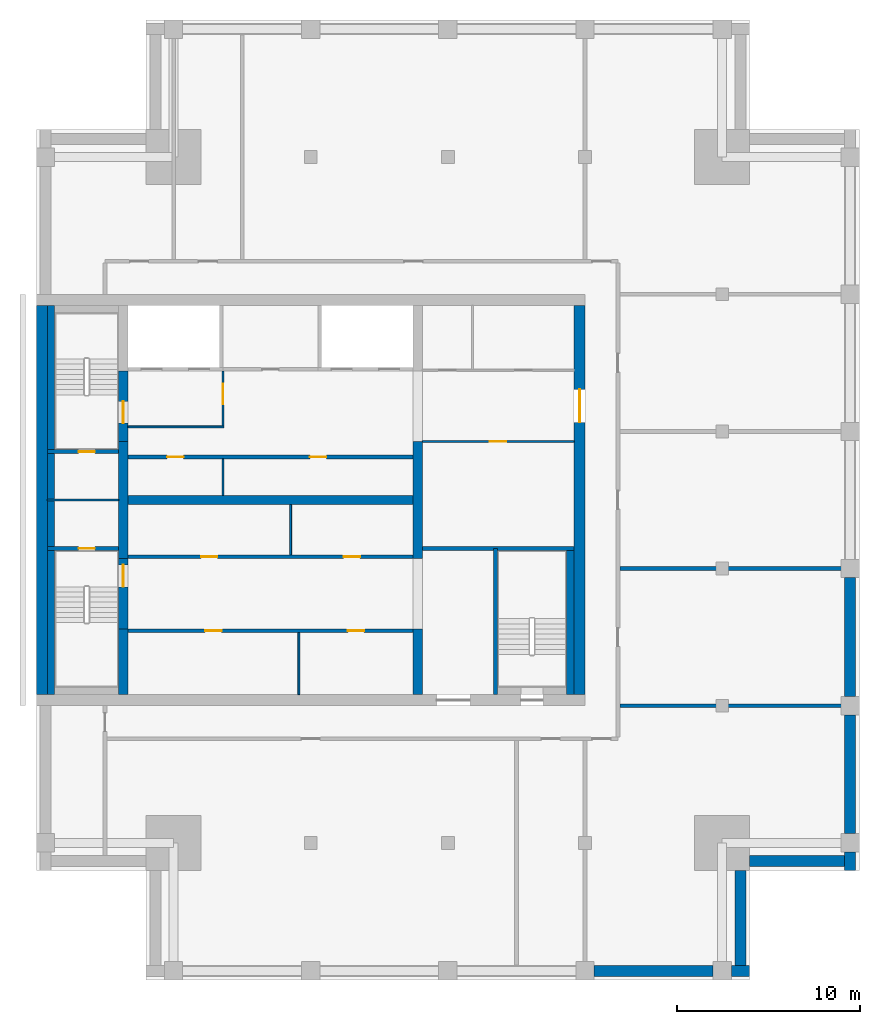
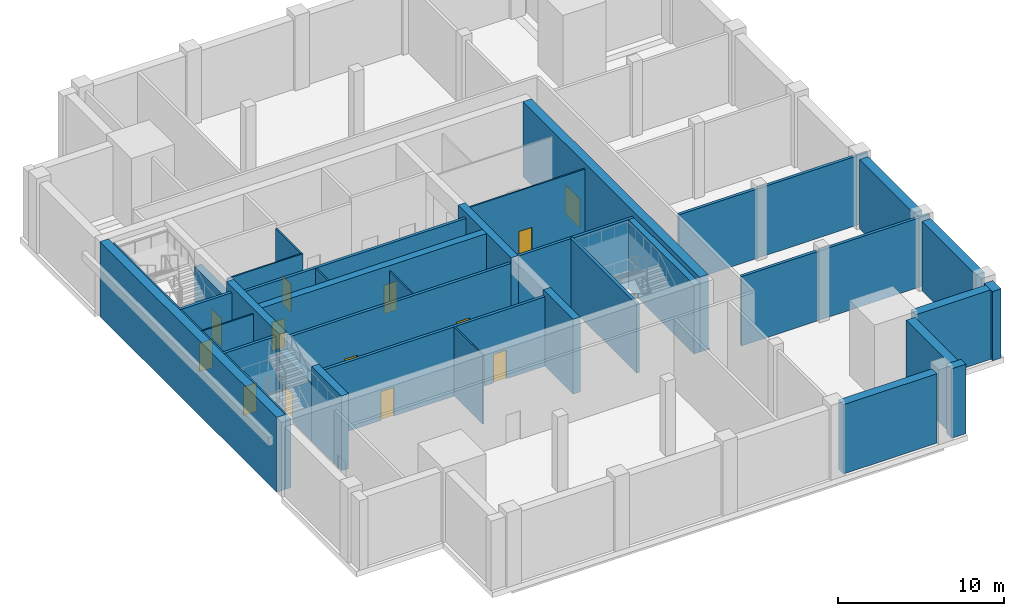
# One storey, part 2 of 8: 34 walls, 13 doors, 13 openings.
"""IFC4 building model written with IfcOpenShell, lengths in metres."""

from ifc_helpers import new_model, si_unit, direction, frame, frame_2d, origin, place, context, subcontext, project, spatial, rectangle, extrude, material, layer, layer_set, type_object, element, fill, save


model = new_model("IFC4")

# Units and contexts
model_context = context("Model", 3, precision=1e-05, world=origin(), true_north=direction((0.0, 1.0)))
body_context = subcontext(model_context, "Body", "Model", "MODEL_VIEW")
ifc_project = project(units=[si_unit("LENGTHUNIT", "METRE"), si_unit("AREAUNIT", "SQUARE_METRE"), si_unit("VOLUMEUNIT", "CUBIC_METRE"), si_unit("PLANEANGLEUNIT", "RADIAN"), si_unit("MASSUNIT", "GRAM", prefix="KILO")], contexts=[model_context])

# Site, building, storey
site_placement = place(None, origin())
site = spatial("IfcSite", under=ifc_project, at=site_placement, CompositionType="ELEMENT")
building_placement = place(site_placement, origin())
building = spatial("IfcBuilding", under=site, at=building_placement, Name="Tamorin Gate", CompositionType="ELEMENT")
storey_placement = place(building_placement, frame((0.0, 0.0, 314.699951171875)))
storey = spatial("IfcBuildingStorey", under=building, at=storey_placement, Name="L77", CompositionType="ELEMENT", Elevation=314.699951171875)

# Wall
ifc_material_1 = material(Name="Fire-rated gypsum board partition")
ifc_layer_1 = layer(ifc_material_1, 0.10009765625)
ifc_layer_set_1 = layer_set([ifc_layer_1], Name="Lobby wall 100 EI 60")
wall_type_1 = type_object("IfcWallType", Name="Lobby wall 100 EI 60", PredefinedType="PARTITIONING", material=ifc_layer_set_1)
wall_1_placement = place(storey_placement, frame((35.0, 75.25, 0.0), z_axis=(0.0, 0.0, 1.0), x_axis=(1.0, 0.0, 0.0)))
element("IfcWall", 1, at=wall_1_placement, inside=storey, type_object=wall_type_1, Name="Firefighting lobby wall", PredefinedType="PARTITIONING", context=body_context, shape_type="SweptSolid", body=[
    extrude(rectangle(XDim=5.25, YDim=0.10009765625, at=frame_2d((2.625, 0.0))), origin(), (0.0, 0.0, 1.0), 5.090087890625),
])

# Wall, opening, door
wall_2_placement = place(storey_placement, frame((40.199951171875, 75.300048828125, 0.0), z_axis=(0.0, 0.0, 1.0), x_axis=(0.0, 1.0, 0.0)))
wall_2 = element("IfcWall", 2, at=wall_2_placement, inside=storey, type_object=wall_type_1, Name="Firefighting lobby wall", PredefinedType="PARTITIONING", context=body_context, shape_type="SweptSolid", body=[
    extrude(rectangle(XDim=3.0, YDim=0.10009765625, at=frame_2d((1.5, 0.0))), origin(), (0.0, 0.0, 1.0), 5.090087890625),
])
opening_1_placement = place(wall_2_placement, frame((1.199951171875, 0.0, 0.0)))
opening_1 = element("IfcOpeningElement", 3, at=opening_1_placement, cuts=wall_2, Name="Opening DF1", PredefinedType="OPENING", context=body_context, shape_type="SweptSolid", body=[
    extrude(rectangle(XDim=1.10009765625, YDim=2.10009765625, at=frame_2d((0.550048828125, 1.050048828125))), frame((0.0, 0.06005859375, 0.0), z_axis=(0.0, -1.0, 0.0), x_axis=(1.0, 0.0, 0.0)), (0.0, 0.0, 1.0), 0.1201171875),
])
ifc_material_2 = material(Name="Steel fire door", Category="steel")
door_type_1 = type_object("IfcDoorType", Name="Firefighting lobby door 1100 x 2100 EI 90", OperationType="SINGLE_SWING_LEFT", PredefinedType="DOOR", material=ifc_material_2)
door_1_placement = place(opening_1_placement, origin())
door_1 = element("IfcDoor", 4, at=door_1_placement, inside=storey, type_object=door_type_1, Name="Firefighting lobby door", OperationType="SINGLE_SWING_LEFT", OverallHeight=2.10009765625, OverallWidth=1.10009765625, PredefinedType="DOOR", context=body_context, shape_type="SweptSolid", body=[
    extrude(rectangle(XDim=1.10009765625, YDim=2.10009765625, at=frame_2d((0.550048828125, 1.050048828125))), frame((0.0, 0.02490234375, 0.0), z_axis=(0.0, -1.0, 0.0), x_axis=(1.0, 0.0, 0.0)), (0.0, 0.0, 1.0), 0.050048828125),
])
fill(opening_1, door_1)

# Walls
ifc_material_3 = material(Name="Aluminium louvres in concrete frame", Category="concrete")
ifc_layer_2 = layer(ifc_material_3, 0.60009765625)
ifc_layer_set_2 = layer_set([ifc_layer_2], Name="Louvred plant wall 600")
wall_type_2 = type_object("IfcWallType", Name="Louvred plant wall 600", PredefinedType="ELEMENTEDWALL", material=ifc_layer_set_2)
wall_3_placement = place(storey_placement, frame((60.5, 45.5, 0.0), z_axis=(0.0, 0.0, 1.0), x_axis=(1.0, 0.0, 0.0)))
element("IfcWall", 5, at=wall_3_placement, inside=storey, type_object=wall_type_2, Name="Louvred plant wall", PredefinedType="ELEMENTEDWALL", context=body_context, shape_type="SweptSolid", body=[
    extrude(rectangle(XDim=6.5, YDim=0.60009765625, at=frame_2d((3.25, 0.0))), origin(), (0.0, 0.0, 1.0), 5.10009765625),
])
wall_4_placement = place(storey_placement, frame((68.0, 45.5, 0.0), z_axis=(0.0, 0.0, 1.0), x_axis=(1.0, 0.0, 0.0)))
element("IfcWall", 6, at=wall_4_placement, inside=storey, type_object=wall_type_2, Name="Louvred plant wall", PredefinedType="ELEMENTEDWALL", context=body_context, shape_type="SweptSolid", body=[
    extrude(rectangle(XDim=1.0, YDim=0.60009765625, at=frame_2d((0.5, 0.0))), origin(), (0.0, 0.0, 1.0), 5.10009765625),
])
for number, where, z_axis, x_axis, name in (
    (7, (68.5, 45.800048828125, 0.0), (0.0, 0.0, 1.0), (0.0, 1.0, 0.0), "Louvred plant wall"),
    (8, (69.0, 51.5, 0.0), (0.0, 0.0, 1.0), (1.0, 0.0, 0.0), "Louvred plant wall"),
):
    element("IfcWall", number, at=place(storey_placement, frame(where, z_axis=z_axis, x_axis=x_axis)), inside=storey, type_object=wall_type_2, Name=name, PredefinedType="ELEMENTEDWALL", context=body_context, shape_type="SweptSolid", body=[
        extrude(rectangle(XDim=5.199951171875, YDim=0.60009765625, at=frame_2d((2.60009765625, 0.0))), origin(), (0.0, 0.0, 1.0), 5.10009765625),
    ])
wall_5_placement = place(storey_placement, frame((74.5, 51.0, 0.0), z_axis=(0.0, 0.0, 1.0), x_axis=(0.0, 1.0, 0.0)))
element("IfcWall", 9, at=wall_5_placement, inside=storey, type_object=wall_type_2, Name="Louvred plant wall", PredefinedType="ELEMENTEDWALL", context=body_context, shape_type="SweptSolid", body=[
    extrude(rectangle(XDim=1.0, YDim=0.60009765625, at=frame_2d((0.5, 0.0))), origin(), (0.0, 0.0, 1.0), 5.10009765625),
])
for number, where, z_axis, x_axis, name in (
    (10, (74.5, 53.0, 0.0), (0.0, 0.0, 1.0), (0.0, 1.0, 0.0), "Louvred plant wall"),
    (11, (74.5, 60.5, 0.0), (0.0, 0.0, 1.0), (0.0, 1.0, 0.0), "Louvred plant wall"),
):
    element("IfcWall", number, at=place(storey_placement, frame(where, z_axis=z_axis, x_axis=x_axis)), inside=storey, type_object=wall_type_2, Name=name, PredefinedType="ELEMENTEDWALL", context=body_context, shape_type="SweptSolid", body=[
        extrude(rectangle(XDim=6.5, YDim=0.60009765625, at=frame_2d((3.25, 0.0))), origin(), (0.0, 0.0, 1.0), 5.10009765625),
    ])
ifc_material_4 = material(Name="Gypsum board partition")
ifc_layer_3 = layer(ifc_material_4, 0.199951171875)
ifc_layer_set_3 = layer_set([ifc_layer_3], Name="Plant and refuge wall 200")
wall_type_3 = type_object("IfcWallType", Name="Plant and refuge wall 200", PredefinedType="PARTITIONING", material=ifc_layer_set_3)
for number, where, z_axis, x_axis, name in (
    (12, (61.89990234375, 60.0, 0.0), (0.0, 0.0, 1.0), (1.0, 0.0, 0.0), "Plant and refuge wall 200"),
    (13, (61.89990234375, 67.5, 0.0), (0.0, 0.0, 1.0), (1.0, 0.0, 0.0), "Plant and refuge wall 200"),
):
    element("IfcWall", number, at=place(storey_placement, frame(where, z_axis=z_axis, x_axis=x_axis)), inside=storey, type_object=wall_type_3, Name=name, PredefinedType="PARTITIONING", context=body_context, shape_type="SweptSolid", body=[
        extrude(rectangle(XDim=13.10009765625, YDim=0.199951171875, at=frame_2d((6.550048828125, 0.0))), origin(), (0.0, 0.0, 1.0), 5.10009765625),
    ])
ifc_material_5 = material(Name="Concrete C50/60", Category="concrete")
ifc_layer_4 = layer(ifc_material_5, 0.5)
ifc_layer_set_4 = layer_set([ifc_layer_4], Name="RC core internal wall 500 C50/60")
wall_type_4 = type_object("IfcWallType", Name="RC core internal wall 500 C50/60", PredefinedType="SHEAR", material=ifc_layer_set_4)
wall_6_placement = place(storey_placement, frame((35.0, 71.25, 0.0), z_axis=(0.0, 0.0, 1.0), x_axis=(1.0, 0.0, 0.0)))
element("IfcWall", 14, at=wall_6_placement, inside=storey, type_object=wall_type_4, Name="Core spine wall L77", PredefinedType="SHEAR", context=body_context, shape_type="SweptSolid", body=[
    extrude(rectangle(XDim=15.60009765625, YDim=0.5, at=frame_2d((7.800048828125, 0.0))), origin(), (0.0, 0.0, 1.0), 5.5),
])
wall_7_placement = place(storey_placement, frame((34.75, 60.60009765625, 0.0), z_axis=(0.0, 0.0, 1.0), x_axis=(0.0, 1.0, 0.0)))
element("IfcWall", 15, at=wall_7_placement, inside=storey, type_object=wall_type_4, Name="Core cross wall L77", PredefinedType="SHEAR", context=body_context, shape_type="SweptSolid", body=[
    extrude(rectangle(XDim=3.599853515625, YDim=0.5, at=frame_2d((1.7998046875, 0.0))), origin(), (0.0, 0.0, 1.0), 5.5),
])
wall_8_placement = place(storey_placement, frame((34.75, 68.050048828125, 0.0), z_axis=(0.0, 0.0, 1.0), x_axis=(0.0, 1.0, 0.0)))
element("IfcWall", 16, at=wall_8_placement, inside=storey, type_object=wall_type_4, Name="Core cross wall L77", PredefinedType="SHEAR", context=body_context, shape_type="SweptSolid", body=[
    extrude(rectangle(XDim=6.39990234375, YDim=0.5, at=frame_2d((3.199951171875, 0.0))), origin(), (0.0, 0.0, 1.0), 5.5),
])
wall_9_placement = place(storey_placement, frame((50.85009765625, 60.60009765625, 0.0), z_axis=(0.0, 0.0, 1.0), x_axis=(0.0, 1.0, 0.0)))
element("IfcWall", 17, at=wall_9_placement, inside=storey, type_object=wall_type_4, Name="Core cross wall L77", PredefinedType="SHEAR", context=body_context, shape_type="SweptSolid", body=[
    extrude(rectangle(XDim=3.599853515625, YDim=0.5, at=frame_2d((1.7998046875, 0.0))), origin(), (0.0, 0.0, 1.0), 5.5),
])
wall_10_placement = place(storey_placement, frame((50.85009765625, 68.050048828125, 0.0), z_axis=(0.0, 0.0, 1.0), x_axis=(0.0, 1.0, 0.0)))
element("IfcWall", 18, at=wall_10_placement, inside=storey, type_object=wall_type_4, Name="Core cross wall L77", PredefinedType="SHEAR", context=body_context, shape_type="SweptSolid", body=[
    extrude(rectangle(XDim=6.39990234375, YDim=0.5, at=frame_2d((3.199951171875, 0.0))), origin(), (0.0, 0.0, 1.0), 5.5),
])
ifc_layer_5 = layer(ifc_material_5, 0.60009765625)
ifc_layer_set_5 = layer_set([ifc_layer_5], Name="RC core wall 600 C50/60")
wall_type_5 = type_object("IfcWallType", Name="RC core wall 600 C50/60", PredefinedType="SHEAR", material=ifc_layer_set_5)
wall_11_placement = place(storey_placement, frame((30.300048828125, 60.60009765625, 0.0), z_axis=(0.0, 0.0, 1.0), x_axis=(0.0, 1.0, 0.0)))
element("IfcWall", 19, at=wall_11_placement, inside=storey, type_object=wall_type_5, Name="Core wall L77", PredefinedType="SHEAR", context=body_context, shape_type="SweptSolid", body=[
    extrude(rectangle(XDim=21.2998046875, YDim=0.60009765625, at=frame_2d((10.64990234375, 0.0))), origin(), (0.0, 0.0, 1.0), 5.5),
])

# Wall, opening, door
wall_12_placement = place(storey_placement, frame((59.699951171875, 60.60009765625, 0.0), z_axis=(0.0, 0.0, 1.0), x_axis=(0.0, 1.0, 0.0)))
wall_12 = element("IfcWall", 20, at=wall_12_placement, inside=storey, type_object=wall_type_5, Name="Core wall L77", PredefinedType="SHEAR", context=body_context, shape_type="SweptSolid", body=[
    extrude(rectangle(XDim=21.2998046875, YDim=0.60009765625, at=frame_2d((10.64990234375, 0.0))), origin(), (0.0, 0.0, 1.0), 5.5),
])
opening_2_placement = place(wall_12_placement, frame((14.89990234375, 0.0, 0.0)))
opening_2 = element("IfcOpeningElement", 21, at=opening_2_placement, cuts=wall_12, Name="Opening DE1", PredefinedType="OPENING", context=body_context, shape_type="SweptSolid", body=[
    extrude(rectangle(XDim=1.800048828125, YDim=2.10009765625, at=frame_2d((0.89990234375, 1.050048828125))), frame((0.0, 0.31005859375, 0.0), z_axis=(0.0, -1.0, 0.0), x_axis=(1.0, 0.0, 0.0)), (0.0, 0.0, 1.0), 0.6201171875),
])
door_type_2 = type_object("IfcDoorType", Name="Lobby exit double door 1800 x 2100 EI 60", OperationType="DOUBLE_DOOR_SINGLE_SWING", PredefinedType="DOOR", material=ifc_material_2)
door_2_placement = place(opening_2_placement, origin())
door_2 = element("IfcDoor", 22, at=door_2_placement, inside=storey, type_object=door_type_2, Name="Lift lobby B exit door", OperationType="DOUBLE_DOOR_SINGLE_SWING", OverallHeight=2.10009765625, OverallWidth=1.800048828125, PredefinedType="DOOR", context=body_context, shape_type="SweptSolid", body=[
    extrude(rectangle(XDim=1.800048828125, YDim=2.10009765625, at=frame_2d((0.89990234375, 1.050048828125))), frame((0.0, 0.02490234375, 0.0), z_axis=(0.0, -1.0, 0.0), x_axis=(1.0, 0.0, 0.0)), (0.0, 0.0, 1.0), 0.050048828125),
])
fill(opening_2, door_2)

# Wall
ifc_layer_6 = layer(ifc_material_1, 0.10009765625)
ifc_layer_set_6 = layer_set([ifc_layer_6], Name="Riser partition 100 EI 120")
wall_type_6 = type_object("IfcWallType", Name="Riser partition 100 EI 120", PredefinedType="PARTITIONING", material=ifc_layer_set_6)
wall_13_placement = place(storey_placement, frame((30.60009765625, 71.25, 0.0), z_axis=(0.0, 0.0, 1.0), x_axis=(1.0, 0.0, 0.0)))
element("IfcWall", 23, at=wall_13_placement, inside=storey, type_object=wall_type_6, Name="Riser partition", PredefinedType="PARTITIONING", context=body_context, shape_type="SweptSolid", body=[
    extrude(rectangle(XDim=3.89990234375, YDim=0.10009765625, at=frame_2d((1.949951171875, 0.0))), origin(), (0.0, 0.0, 1.0), 5.090087890625),
])

# Wall, openings, doors
ifc_layer_7 = layer(ifc_material_4, 0.199951171875)
ifc_layer_set_7 = layer_set([ifc_layer_7], Name="Service room face wall 200 EI 60")
wall_type_7 = type_object("IfcWallType", Name="Service room face wall 200 EI 60", PredefinedType="PARTITIONING", material=ifc_layer_set_7)
wall_14_placement = place(storey_placement, frame((35.0, 64.10009765625, 0.0), z_axis=(0.0, 0.0, 1.0), x_axis=(1.0, 0.0, 0.0)))
wall_14 = element("IfcWall", 24, at=wall_14_placement, inside=storey, type_object=wall_type_7, Name="Service room face wall", PredefinedType="PARTITIONING", context=body_context, shape_type="SweptSolid", body=[
    extrude(rectangle(XDim=15.60009765625, YDim=0.199951171875, at=frame_2d((7.800048828125, 0.0))), origin(), (0.0, 0.0, 1.0), 5.090087890625),
])
opening_3_placement = place(wall_14_placement, frame((4.22509765625, 0.0, 0.0)))
opening_3 = element("IfcOpeningElement", 25, at=opening_3_placement, cuts=wall_14, Name="Opening DK1", PredefinedType="OPENING", context=body_context, shape_type="SweptSolid", body=[
    extrude(rectangle(XDim=0.89990234375, YDim=2.10009765625, at=frame_2d((0.449951171875, 1.050048828125))), frame((0.0, 0.10986328125, 0.0), z_axis=(0.0, -1.0, 0.0), x_axis=(1.0, 0.0, 0.0)), (0.0, 0.0, 1.0), 0.219970703125),
])
opening_4_placement = place(wall_14_placement, frame((12.02490234375, 0.0, 0.0)))
opening_4 = element("IfcOpeningElement", 26, at=opening_4_placement, cuts=wall_14, Name="Opening DK1", PredefinedType="OPENING", context=body_context, shape_type="SweptSolid", body=[
    extrude(rectangle(XDim=0.89990234375, YDim=2.10009765625, at=frame_2d((0.449951171875, 1.050048828125))), frame((0.0, 0.10986328125, 0.0), z_axis=(0.0, -1.0, 0.0), x_axis=(1.0, 0.0, 0.0)), (0.0, 0.0, 1.0), 0.219970703125),
])
ifc_material_6 = material(Name="Timber fire door", Category="wood")
door_type_3 = type_object("IfcDoorType", Name="Service room door 900 x 2100 EI 60", OperationType="SINGLE_SWING_LEFT", PredefinedType="DOOR", material=ifc_material_6)
door_3_placement = place(opening_3_placement, origin())
door_3 = element("IfcDoor", 27, at=door_3_placement, inside=storey, type_object=door_type_3, Name="Door Telecom room", OperationType="SINGLE_SWING_LEFT", OverallHeight=2.10009765625, OverallWidth=0.89990234375, PredefinedType="DOOR", context=body_context, shape_type="SweptSolid", body=[
    extrude(rectangle(XDim=0.89990234375, YDim=2.10009765625, at=frame_2d((0.449951171875, 1.050048828125))), frame((0.0, 0.02490234375, 0.0), z_axis=(0.0, -1.0, 0.0), x_axis=(1.0, 0.0, 0.0)), (0.0, 0.0, 1.0), 0.050048828125),
])
fill(opening_3, door_3)
door_4_placement = place(opening_4_placement, origin())
door_4 = element("IfcDoor", 28, at=door_4_placement, inside=storey, type_object=door_type_3, Name="Door Pump room", OperationType="SINGLE_SWING_RIGHT", OverallHeight=2.10009765625, OverallWidth=0.89990234375, PredefinedType="DOOR", context=body_context, shape_type="SweptSolid", body=[
    extrude(rectangle(XDim=0.89990234375, YDim=2.10009765625, at=frame_2d((0.449951171875, 1.050048828125))), frame((0.0, 0.02490234375, 0.0), z_axis=(0.0, -1.0, 0.0), x_axis=(1.0, 0.0, 0.0)), (0.0, 0.0, 1.0), 0.050048828125),
])
fill(opening_4, door_4)

wall_15_placement = place(storey_placement, frame((35.0, 68.14990234375, 0.0), z_axis=(0.0, 0.0, 1.0), x_axis=(1.0, 0.0, 0.0)))
wall_15 = element("IfcWall", 29, at=wall_15_placement, inside=storey, type_object=wall_type_7, Name="Service room face wall", PredefinedType="PARTITIONING", context=body_context, shape_type="SweptSolid", body=[
    extrude(rectangle(XDim=15.60009765625, YDim=0.199951171875, at=frame_2d((7.800048828125, 0.0))), origin(), (0.0, 0.0, 1.0), 5.090087890625),
])
opening_5_placement = place(wall_15_placement, frame((4.0, 0.0, 0.0)))
opening_5 = element("IfcOpeningElement", 30, at=opening_5_placement, cuts=wall_15, Name="Opening DK1", PredefinedType="OPENING", context=body_context, shape_type="SweptSolid", body=[
    extrude(rectangle(XDim=0.89990234375, YDim=2.10009765625, at=frame_2d((0.449951171875, 1.050048828125))), frame((0.0, 0.10986328125, 0.0), z_axis=(0.0, -1.0, 0.0), x_axis=(1.0, 0.0, 0.0)), (0.0, 0.0, 1.0), 0.219970703125),
])
opening_6_placement = place(wall_15_placement, frame((11.800048828125, 0.0, 0.0)))
opening_6 = element("IfcOpeningElement", 31, at=opening_6_placement, cuts=wall_15, Name="Opening DK1", PredefinedType="OPENING", context=body_context, shape_type="SweptSolid", body=[
    extrude(rectangle(XDim=0.89990234375, YDim=2.10009765625, at=frame_2d((0.449951171875, 1.050048828125))), frame((0.0, 0.10986328125, 0.0), z_axis=(0.0, -1.0, 0.0), x_axis=(1.0, 0.0, 0.0)), (0.0, 0.0, 1.0), 0.219970703125),
])
door_5_placement = place(opening_5_placement, origin())
door_5 = element("IfcDoor", 32, at=door_5_placement, inside=storey, type_object=door_type_3, Name="Door Cooling riser room", OperationType="SINGLE_SWING_LEFT", OverallHeight=2.10009765625, OverallWidth=0.89990234375, PredefinedType="DOOR", context=body_context, shape_type="SweptSolid", body=[
    extrude(rectangle(XDim=0.89990234375, YDim=2.10009765625, at=frame_2d((0.449951171875, 1.050048828125))), frame((0.0, 0.02490234375, 0.0), z_axis=(0.0, -1.0, 0.0), x_axis=(1.0, 0.0, 0.0)), (0.0, 0.0, 1.0), 0.050048828125),
])
fill(opening_5, door_5)
door_6_placement = place(opening_6_placement, origin())
door_6 = element("IfcDoor", 33, at=door_6_placement, inside=storey, type_object=door_type_3, Name="Door Smoke extract riser room", OperationType="SINGLE_SWING_RIGHT", OverallHeight=2.10009765625, OverallWidth=0.89990234375, PredefinedType="DOOR", context=body_context, shape_type="SweptSolid", body=[
    extrude(rectangle(XDim=0.89990234375, YDim=2.10009765625, at=frame_2d((0.449951171875, 1.050048828125))), frame((0.0, 0.02490234375, 0.0), z_axis=(0.0, -1.0, 0.0), x_axis=(1.0, 0.0, 0.0)), (0.0, 0.0, 1.0), 0.050048828125),
])
fill(opening_6, door_6)

wall_16_placement = place(storey_placement, frame((35.0, 73.60009765625, 0.0), z_axis=(0.0, 0.0, 1.0), x_axis=(1.0, 0.0, 0.0)))
wall_16 = element("IfcWall", 34, at=wall_16_placement, inside=storey, type_object=wall_type_7, Name="Service room face wall", PredefinedType="PARTITIONING", context=body_context, shape_type="SweptSolid", body=[
    extrude(rectangle(XDim=15.60009765625, YDim=0.199951171875, at=frame_2d((7.800048828125, 0.0))), origin(), (0.0, 0.0, 1.0), 5.090087890625),
])
opening_7_placement = place(wall_16_placement, frame((2.14990234375, 0.0, 0.0)))
opening_7 = element("IfcOpeningElement", 35, at=opening_7_placement, cuts=wall_16, Name="Opening DK1", PredefinedType="OPENING", context=body_context, shape_type="SweptSolid", body=[
    extrude(rectangle(XDim=0.89990234375, YDim=2.10009765625, at=frame_2d((0.449951171875, 1.050048828125))), frame((0.0, 0.10986328125, 0.0), z_axis=(0.0, -1.0, 0.0), x_axis=(1.0, 0.0, 0.0)), (0.0, 0.0, 1.0), 0.219970703125),
])
opening_8_placement = place(wall_16_placement, frame((9.949951171875, 0.0, 0.0)))
opening_8 = element("IfcOpeningElement", 36, at=opening_8_placement, cuts=wall_16, Name="Opening DK1", PredefinedType="OPENING", context=body_context, shape_type="SweptSolid", body=[
    extrude(rectangle(XDim=0.89990234375, YDim=2.10009765625, at=frame_2d((0.449951171875, 1.050048828125))), frame((0.0, 0.10986328125, 0.0), z_axis=(0.0, -1.0, 0.0), x_axis=(1.0, 0.0, 0.0)), (0.0, 0.0, 1.0), 0.219970703125),
])
door_7_placement = place(opening_7_placement, origin())
door_7 = element("IfcDoor", 37, at=door_7_placement, inside=storey, type_object=door_type_3, Name="Door Fire pump room", OperationType="SINGLE_SWING_LEFT", OverallHeight=2.10009765625, OverallWidth=0.89990234375, PredefinedType="DOOR", context=body_context, shape_type="SweptSolid", body=[
    extrude(rectangle(XDim=0.89990234375, YDim=2.10009765625, at=frame_2d((0.449951171875, 1.050048828125))), frame((0.0, 0.02490234375, 0.0), z_axis=(0.0, -1.0, 0.0), x_axis=(1.0, 0.0, 0.0)), (0.0, 0.0, 1.0), 0.050048828125),
])
fill(opening_7, door_7)
door_8_placement = place(opening_8_placement, origin())
door_8 = element("IfcDoor", 38, at=door_8_placement, inside=storey, type_object=door_type_3, Name="Door BMS room", OperationType="SINGLE_SWING_RIGHT", OverallHeight=2.10009765625, OverallWidth=0.89990234375, PredefinedType="DOOR", context=body_context, shape_type="SweptSolid", body=[
    extrude(rectangle(XDim=0.89990234375, YDim=2.10009765625, at=frame_2d((0.449951171875, 1.050048828125))), frame((0.0, 0.02490234375, 0.0), z_axis=(0.0, -1.0, 0.0), x_axis=(1.0, 0.0, 0.0)), (0.0, 0.0, 1.0), 0.050048828125),
])
fill(opening_8, door_8)

# Walls
ifc_layer_8 = layer(ifc_material_4, 0.10009765625)
ifc_layer_set_8 = layer_set([ifc_layer_8], Name="Service room partition 100 EI 60")
wall_type_8 = type_object("IfcWallType", Name="Service room partition 100 EI 60", PredefinedType="PARTITIONING", material=ifc_layer_set_8)
wall_17_placement = place(storey_placement, frame((44.35009765625, 60.60009765625, 0.0), z_axis=(0.0, 0.0, 1.0), x_axis=(0.0, 1.0, 0.0)))
element("IfcWall", 39, at=wall_17_placement, inside=storey, type_object=wall_type_8, Name="Service room partition", PredefinedType="PARTITIONING", context=body_context, shape_type="SweptSolid", body=[
    extrude(rectangle(XDim=3.39990234375, YDim=0.10009765625, at=frame_2d((1.699951171875, 0.0))), origin(), (0.0, 0.0, 1.0), 5.090087890625),
])
wall_18_placement = place(storey_placement, frame((43.89990234375, 68.25, 0.0), z_axis=(0.0, 0.0, 1.0), x_axis=(0.0, 1.0, 0.0)))
element("IfcWall", 40, at=wall_18_placement, inside=storey, type_object=wall_type_8, Name="Service room partition", PredefinedType="PARTITIONING", context=body_context, shape_type="SweptSolid", body=[
    extrude(rectangle(XDim=2.75, YDim=0.10009765625, at=frame_2d((1.375, 0.0))), origin(), (0.0, 0.0, 1.0), 5.090087890625),
])
wall_19_placement = place(storey_placement, frame((40.199951171875, 71.5, 0.0), z_axis=(0.0, 0.0, 1.0), x_axis=(0.0, 1.0, 0.0)))
element("IfcWall", 41, at=wall_19_placement, inside=storey, type_object=wall_type_8, Name="Service room partition", PredefinedType="PARTITIONING", context=body_context, shape_type="SweptSolid", body=[
    extrude(rectangle(XDim=2.0, YDim=0.10009765625, at=frame_2d((1.0, 0.0))), origin(), (0.0, 0.0, 1.0), 5.090087890625),
])

# Wall, opening, door
wall_20_placement = place(storey_placement, frame((51.10009765625, 74.449951171875, 0.0), z_axis=(0.0, 0.0, 1.0), x_axis=(1.0, 0.0, 0.0)))
wall_20 = element("IfcWall", 42, at=wall_20_placement, inside=storey, type_object=wall_type_8, Name="Service room wall", PredefinedType="PARTITIONING", context=body_context, shape_type="SweptSolid", body=[
    extrude(rectangle(XDim=8.2998046875, YDim=0.10009765625, at=frame_2d((4.14990234375, 0.0))), origin(), (0.0, 0.0, 1.0), 5.090087890625),
])
opening_9_placement = place(wall_20_placement, frame((3.699951171875, 0.0, 0.0)))
opening_9 = element("IfcOpeningElement", 43, at=opening_9_placement, cuts=wall_20, Name="Opening DR1", PredefinedType="OPENING", context=body_context, shape_type="SweptSolid", body=[
    extrude(rectangle(XDim=0.89990234375, YDim=2.10009765625, at=frame_2d((0.449951171875, 1.050048828125))), frame((0.0, 0.06005859375, 0.0), z_axis=(0.0, -1.0, 0.0), x_axis=(1.0, 0.0, 0.0)), (0.0, 0.0, 1.0), 0.1201171875),
])
door_type_4 = type_object("IfcDoorType", Name="Riser access door 900 x 2100 EI 120", OperationType="SINGLE_SWING_LEFT", PredefinedType="DOOR", material=ifc_material_2)
door_9_placement = place(opening_9_placement, origin())
door_9 = element("IfcDoor", 44, at=door_9_placement, inside=storey, type_object=door_type_4, Name="Duct riser door", OperationType="SINGLE_SWING_LEFT", OverallHeight=2.10009765625, OverallWidth=0.89990234375, PredefinedType="DOOR", context=body_context, shape_type="SweptSolid", body=[
    extrude(rectangle(XDim=0.89990234375, YDim=2.10009765625, at=frame_2d((0.449951171875, 1.050048828125))), frame((0.0, 0.02490234375, 0.0), z_axis=(0.0, -1.0, 0.0), x_axis=(1.0, 0.0, 0.0)), (0.0, 0.0, 1.0), 0.050048828125),
])
fill(opening_9, door_9)

ifc_material_7 = material(Name="Concrete C40/50", Category="concrete")
ifc_layer_9 = layer(ifc_material_7, 0.199951171875)
ifc_layer_set_9 = layer_set([ifc_layer_9], Name="Stair enclosure wall 200 EI 120 C40/50")
wall_type_9 = type_object("IfcWallType", Name="Stair enclosure wall 200 EI 120 C40/50", PredefinedType="SOLIDWALL", material=ifc_layer_set_9)
wall_21_placement = place(storey_placement, frame((30.60009765625, 68.60009765625, 0.0), z_axis=(0.0, 0.0, 1.0), x_axis=(1.0, 0.0, 0.0)))
wall_21 = element("IfcWall", 45, at=wall_21_placement, inside=storey, type_object=wall_type_9, Name="Stair enclosure wall", PredefinedType="SOLIDWALL", context=body_context, shape_type="SweptSolid", body=[
    extrude(rectangle(XDim=3.89990234375, YDim=0.199951171875, at=frame_2d((1.949951171875, 0.0))), origin(), (0.0, 0.0, 1.0), 5.090087890625),
])
opening_10_placement = place(wall_21_placement, frame((1.699951171875, 0.0, 0.0)))
opening_10 = element("IfcOpeningElement", 46, at=opening_10_placement, cuts=wall_21, Name="Opening DR1", PredefinedType="OPENING", context=body_context, shape_type="SweptSolid", body=[
    extrude(rectangle(XDim=0.89990234375, YDim=2.10009765625, at=frame_2d((0.449951171875, 1.050048828125))), frame((0.0, 0.10986328125, 0.0), z_axis=(0.0, -1.0, 0.0), x_axis=(1.0, 0.0, 0.0)), (0.0, 0.0, 1.0), 0.219970703125),
])
door_10_placement = place(opening_10_placement, origin())
door_10 = element("IfcDoor", 47, at=door_10_placement, inside=storey, type_object=door_type_4, Name="Electrical riser door", OperationType="SINGLE_SWING_LEFT", OverallHeight=2.10009765625, OverallWidth=0.89990234375, PredefinedType="DOOR", context=body_context, shape_type="SweptSolid", body=[
    extrude(rectangle(XDim=0.89990234375, YDim=2.10009765625, at=frame_2d((0.449951171875, 1.050048828125))), frame((0.0, 0.02490234375, 0.0), z_axis=(0.0, -1.0, 0.0), x_axis=(1.0, 0.0, 0.0)), (0.0, 0.0, 1.0), 0.050048828125),
])
fill(opening_10, door_10)

wall_22_placement = place(storey_placement, frame((30.60009765625, 73.89990234375, 0.0), z_axis=(0.0, 0.0, 1.0), x_axis=(1.0, 0.0, 0.0)))
wall_22 = element("IfcWall", 48, at=wall_22_placement, inside=storey, type_object=wall_type_9, Name="Stair enclosure wall", PredefinedType="SOLIDWALL", context=body_context, shape_type="SweptSolid", body=[
    extrude(rectangle(XDim=3.89990234375, YDim=0.199951171875, at=frame_2d((1.949951171875, 0.0))), origin(), (0.0, 0.0, 1.0), 5.090087890625),
])
opening_11_placement = place(wall_22_placement, frame((1.699951171875, 0.0, 0.0)))
opening_11 = element("IfcOpeningElement", 49, at=opening_11_placement, cuts=wall_22, Name="Opening DR1", PredefinedType="OPENING", context=body_context, shape_type="SweptSolid", body=[
    extrude(rectangle(XDim=0.89990234375, YDim=2.10009765625, at=frame_2d((0.449951171875, 1.050048828125))), frame((0.0, 0.10986328125, 0.0), z_axis=(0.0, -1.0, 0.0), x_axis=(1.0, 0.0, 0.0)), (0.0, 0.0, 1.0), 0.219970703125),
])
door_11_placement = place(opening_11_placement, origin())
door_11 = element("IfcDoor", 50, at=door_11_placement, inside=storey, type_object=door_type_4, Name="Communications riser door", OperationType="SINGLE_SWING_RIGHT", OverallHeight=2.10009765625, OverallWidth=0.89990234375, PredefinedType="DOOR", context=body_context, shape_type="SweptSolid", body=[
    extrude(rectangle(XDim=0.89990234375, YDim=2.10009765625, at=frame_2d((0.449951171875, 1.050048828125))), frame((0.0, 0.02490234375, 0.0), z_axis=(0.0, -1.0, 0.0), x_axis=(1.0, 0.0, 0.0)), (0.0, 0.0, 1.0), 0.050048828125),
])
fill(opening_11, door_11)

# Walls
wall_23_placement = place(storey_placement, frame((55.10009765625, 60.60009765625, 0.0), z_axis=(0.0, 0.0, 1.0), x_axis=(0.0, 1.0, 0.0)))
element("IfcWall", 51, at=wall_23_placement, inside=storey, type_object=wall_type_9, Name="Stair enclosure wall", PredefinedType="SOLIDWALL", context=body_context, shape_type="SweptSolid", body=[
    extrude(rectangle(XDim=8.0, YDim=0.199951171875, at=frame_2d((4.0, 0.0))), origin(), (0.0, 0.0, 1.0), 5.090087890625),
])
wall_24_placement = place(storey_placement, frame((51.10009765625, 68.60009765625, 0.0), z_axis=(0.0, 0.0, 1.0), x_axis=(1.0, 0.0, 0.0)))
element("IfcWall", 52, at=wall_24_placement, inside=storey, type_object=wall_type_9, Name="Stair enclosure wall", PredefinedType="SOLIDWALL", context=body_context, shape_type="SweptSolid", body=[
    extrude(rectangle(XDim=8.2998046875, YDim=0.199951171875, at=frame_2d((4.14990234375, 0.0))), origin(), (0.0, 0.0, 1.0), 5.090087890625),
])
ifc_layer_10 = layer(ifc_material_5, 0.39990234375)
ifc_layer_set_10 = layer_set([ifc_layer_10], Name="Stair lining wall 400 EI 120 C50/60")
wall_type_10 = type_object("IfcWallType", Name="Stair lining wall 400 EI 120 C50/60", PredefinedType="SOLIDWALL", material=ifc_layer_set_10)
wall_25_placement = place(storey_placement, frame((30.800048828125, 60.60009765625, 0.0), z_axis=(0.0, 0.0, 1.0), x_axis=(0.0, 1.0, 0.0)))
element("IfcWall", 53, at=wall_25_placement, inside=storey, type_object=wall_type_10, Name="Stair lining wall", PredefinedType="SOLIDWALL", context=body_context, shape_type="SweptSolid", body=[
    extrude(rectangle(XDim=21.2998046875, YDim=0.39990234375, at=frame_2d((10.64990234375, 0.0))), origin(), (0.0, 0.0, 1.0), 5.090087890625),
])
wall_26_placement = place(storey_placement, frame((59.199951171875, 60.60009765625, 0.0), z_axis=(0.0, 0.0, 1.0), x_axis=(0.0, 1.0, 0.0)))
element("IfcWall", 54, at=wall_26_placement, inside=storey, type_object=wall_type_10, Name="Stair lining wall", PredefinedType="SOLIDWALL", context=body_context, shape_type="SweptSolid", body=[
    extrude(rectangle(XDim=7.89990234375, YDim=0.39990234375, at=frame_2d((3.949951171875, 0.0))), origin(), (0.0, 0.0, 1.0), 5.090087890625),
])

# Wall, opening, door
ifc_material_8 = material(Name="Concrete C32/40", Category="concrete")
ifc_layer_11 = layer(ifc_material_8, 0.5)
ifc_layer_set_11 = layer_set([ifc_layer_11], Name="Stair lobby infill wall 500 EI 120")
wall_type_11 = type_object("IfcWallType", Name="Stair lobby infill wall 500 EI 120", PredefinedType="SOLIDWALL", material=ifc_layer_set_11)
wall_27_placement = place(storey_placement, frame((34.75, 64.199951171875, 0.0), z_axis=(0.0, 0.0, 1.0), x_axis=(0.0, 1.0, 0.0)))
wall_27 = element("IfcWall", 55, at=wall_27_placement, inside=storey, type_object=wall_type_11, Name="Stair lobby infill wall", PredefinedType="SOLIDWALL", context=body_context, shape_type="SweptSolid", body=[
    extrude(rectangle(XDim=3.85009765625, YDim=0.5, at=frame_2d((1.925048828125, 0.0))), origin(), (0.0, 0.0, 1.0), 4.300048828125),
])
opening_12_placement = place(wall_27_placement, frame((2.300048828125, 0.0, 0.0)))
opening_12 = element("IfcOpeningElement", 56, at=opening_12_placement, cuts=wall_27, Name="Opening DS1", PredefinedType="OPENING", context=body_context, shape_type="SweptSolid", body=[
    extrude(rectangle(XDim=1.199951171875, YDim=2.10009765625, at=frame_2d((0.60009765625, 1.050048828125))), frame((0.0, 0.260009765625, 0.0), z_axis=(0.0, -1.0, 0.0), x_axis=(1.0, 0.0, 0.0)), (0.0, 0.0, 1.0), 0.52001953125),
])
door_type_5 = type_object("IfcDoorType", Name="Stair door 1200 x 2100 EI 90", OperationType="SINGLE_SWING_LEFT", PredefinedType="DOOR", material=ifc_material_2)
door_12_placement = place(opening_12_placement, origin())
door_12 = element("IfcDoor", 57, at=door_12_placement, inside=storey, type_object=door_type_5, Name="ST1 door", OperationType="SINGLE_SWING_LEFT", OverallHeight=2.10009765625, OverallWidth=1.199951171875, PredefinedType="DOOR", context=body_context, shape_type="SweptSolid", body=[
    extrude(rectangle(XDim=1.199951171875, YDim=2.10009765625, at=frame_2d((0.60009765625, 1.050048828125))), frame((0.0, 0.02490234375, 0.0), z_axis=(0.0, -1.0, 0.0), x_axis=(1.0, 0.0, 0.0)), (0.0, 0.0, 1.0), 0.050048828125),
])
fill(opening_12, door_12)

wall_28_placement = place(storey_placement, frame((34.75, 74.449951171875, 0.0), z_axis=(0.0, 0.0, 1.0), x_axis=(0.0, 1.0, 0.0)))
wall_28 = element("IfcWall", 58, at=wall_28_placement, inside=storey, type_object=wall_type_11, Name="Stair lobby infill wall", PredefinedType="SOLIDWALL", context=body_context, shape_type="SweptSolid", body=[
    extrude(rectangle(XDim=3.85009765625, YDim=0.5, at=frame_2d((1.925048828125, 0.0))), origin(), (0.0, 0.0, 1.0), 4.300048828125),
])
opening_13_placement = place(wall_28_placement, frame((1.0, 0.0, 0.0)))
opening_13 = element("IfcOpeningElement", 59, at=opening_13_placement, cuts=wall_28, Name="Opening DS1", PredefinedType="OPENING", context=body_context, shape_type="SweptSolid", body=[
    extrude(rectangle(XDim=1.199951171875, YDim=2.10009765625, at=frame_2d((0.60009765625, 1.050048828125))), frame((0.0, 0.260009765625, 0.0), z_axis=(0.0, -1.0, 0.0), x_axis=(1.0, 0.0, 0.0)), (0.0, 0.0, 1.0), 0.52001953125),
])
door_13_placement = place(opening_13_placement, origin())
door_13 = element("IfcDoor", 60, at=door_13_placement, inside=storey, type_object=door_type_5, Name="ST2 door", OperationType="SINGLE_SWING_RIGHT", OverallHeight=2.10009765625, OverallWidth=1.199951171875, PredefinedType="DOOR", context=body_context, shape_type="SweptSolid", body=[
    extrude(rectangle(XDim=1.199951171875, YDim=2.10009765625, at=frame_2d((0.60009765625, 1.050048828125))), frame((0.0, 0.02490234375, 0.0), z_axis=(0.0, -1.0, 0.0), x_axis=(1.0, 0.0, 0.0)), (0.0, 0.0, 1.0), 0.050048828125),
])
fill(opening_13, door_13)

save(model, "model.ifc")
